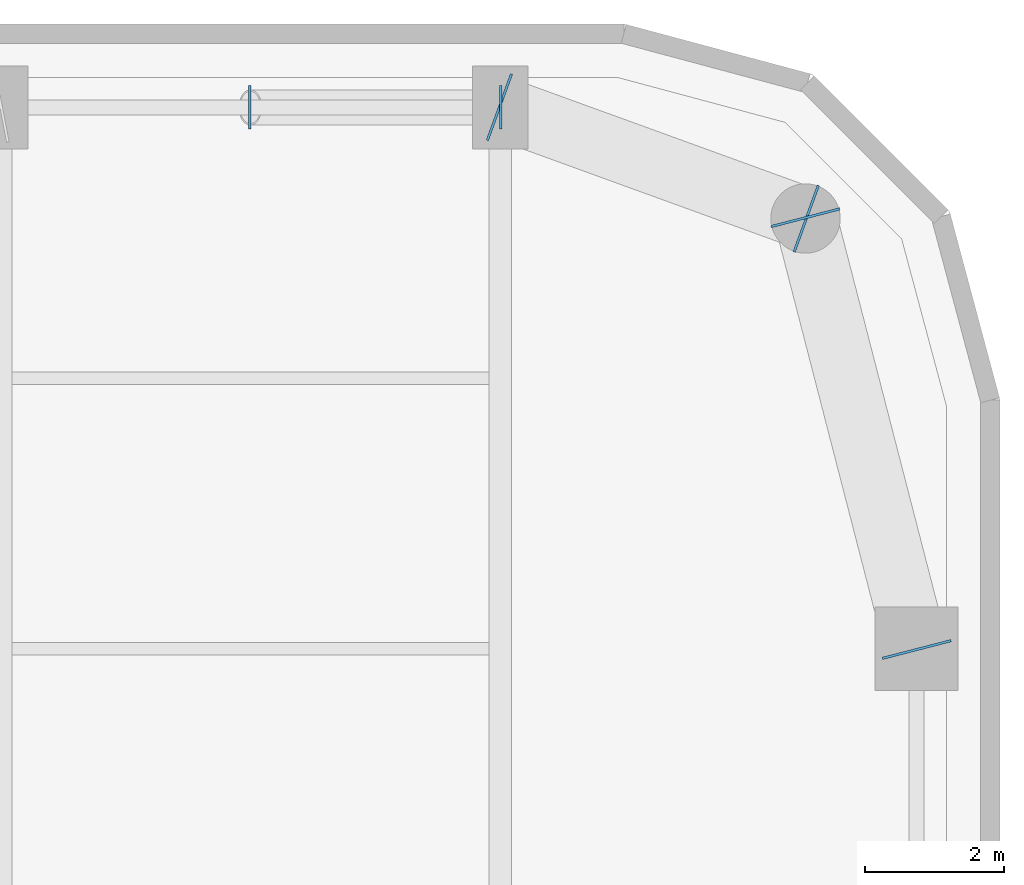
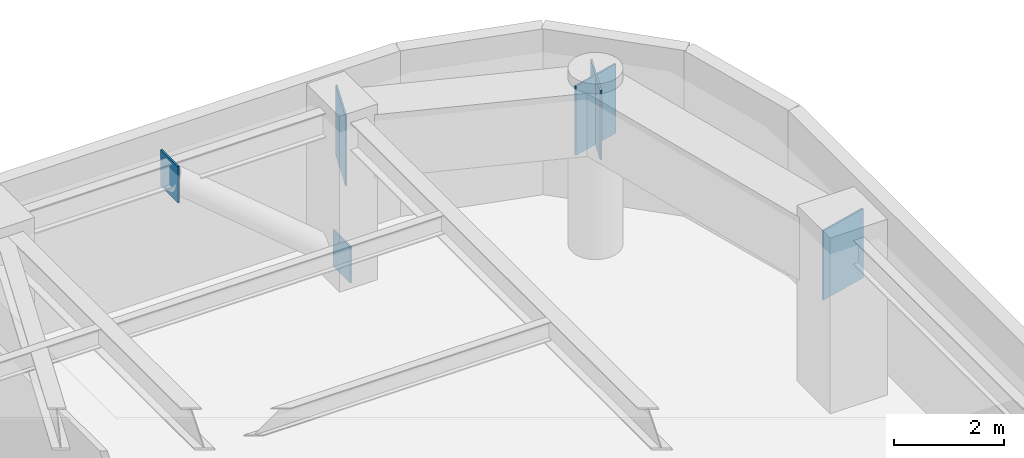
# One storey, part 19 of 26: 6 plates.
"""IFC4 building model written with IfcOpenShell, lengths in metres."""

from ifc_helpers import new_model, si_unit, direction, frame, origin, origin_2d, place, context, subcontext, project, spatial, rectangle, extrude, material, layer, layer_set, type_object, element, save


model = new_model("IFC4")

# Units and contexts
model_context = context("Model", 3, precision=1e-05, world=origin(), true_north=direction((0.0, 1.0)))
body_context = subcontext(model_context, "Body", "Model", "MODEL_VIEW")
ifc_project = project(units=[si_unit("LENGTHUNIT", "METRE"), si_unit("AREAUNIT", "SQUARE_METRE"), si_unit("VOLUMEUNIT", "CUBIC_METRE"), si_unit("PLANEANGLEUNIT", "RADIAN"), si_unit("MASSUNIT", "GRAM", prefix="KILO")], contexts=[model_context])

# Site, building, storey
site_placement = place(None, origin())
site = spatial("IfcSite", under=ifc_project, at=site_placement, CompositionType="ELEMENT")
building_placement = place(site_placement, origin())
building = spatial("IfcBuilding", under=site, at=building_placement, Name="Kiyonajd Concourse Tower", CompositionType="ELEMENT")
storey_placement = place(building_placement, frame((0.0, 0.0, 186.300048828125)))
storey = spatial("IfcBuildingStorey", under=building, at=storey_placement, Name="L47", CompositionType="ELEMENT", Elevation=186.300048828125)

# Plates
ifc_material = material(Name="Steel ASTM A572 Grade 50", Category="steel")
ifc_layer_1 = layer(ifc_material, 0.028076171875)
ifc_layer_set_1 = layer_set([ifc_layer_1], Name="Steel ASTM A572 Grade 50")
plate_type_1 = type_object("IfcPlateType", Name="PL-CAP-450", PredefinedType="USERDEFINED", material=ifc_layer_set_1)
for number, where, z_axis, x_axis, name in (
    (1, (63.6083984375, 61.199951171875, -0.10888671875), (0.0, 0.0, 1.0), (1.0, 0.0, 0.0), "L47 Hollow Brace End Cap Plate PBN"),
    (2, (59.99169921875, 61.199951171875, 2.93505859375), (0.0, 0.0, 1.0), (-1.0, 0.0, 0.0), "L47 Hollow Brace Top Cap Plate PBN"),
):
    element("IfcPlate", number, at=place(storey_placement, frame(where, z_axis=z_axis, x_axis=x_axis)), inside=storey, type_object=plate_type_1, Name=name, ObjectType="CAP PLATE", PredefinedType="USERDEFINED", context=body_context, shape_type="SweptSolid", body=[
        extrude(rectangle(XDim=0.035888671875, YDim=0.6279296875, at=origin_2d()), origin(), (0.0, 0.0, 1.0), 0.803955078125),
    ])
ifc_layer_2 = layer(ifc_material, 0.031982421875)
ifc_layer_set_2 = layer_set([ifc_layer_2], Name="Steel ASTM A572 Grade 50")
plate_type_2 = type_object("IfcPlateType", Name="PL-CAP-540", PredefinedType="USERDEFINED", material=ifc_layer_set_2)
for number, where, z_axis, x_axis, name in (
    (3, (69.602783203125, 53.389404296875, 2.2099609375), (0.0, 0.0, 1.0), (0.249873048837, -0.968278606324, 0.0), "L47 Welded Box Girder End Cap"),
    (4, (67.997314453125, 59.610595703125, 2.2099609375), (0.0, 0.0, 1.0), (-0.249873048837, 0.968278606324, 0.0), "L47 Welded Box Girder End Cap"),
    (5, (68.01025390625, 59.59619140625, 2.2099609375), (0.0, 0.0, 1.0), (0.939811951086, -0.341692107891, 0.0), "L47 Welded Box Girder End Cap"),
    (6, (63.589599609375, 61.203857421875, 2.2099609375), (0.0, 0.0, 1.0), (-0.939811951086, 0.341692107891, 0.0), "L47 Welded Box Girder End Cap"),
):
    element("IfcPlate", number, at=place(storey_placement, frame(where, z_axis=z_axis, x_axis=x_axis)), inside=storey, type_object=plate_type_2, Name=name, ObjectType="CAP PLATE", PredefinedType="USERDEFINED", context=body_context, shape_type="SweptSolid", body=[
        extrude(rectangle(XDim=0.035888671875, YDim=1.02001953125, at=origin_2d()), origin(), (0.0, 0.0, 1.0), 1.5400390625),
    ])

save(model, "model.ifc")
